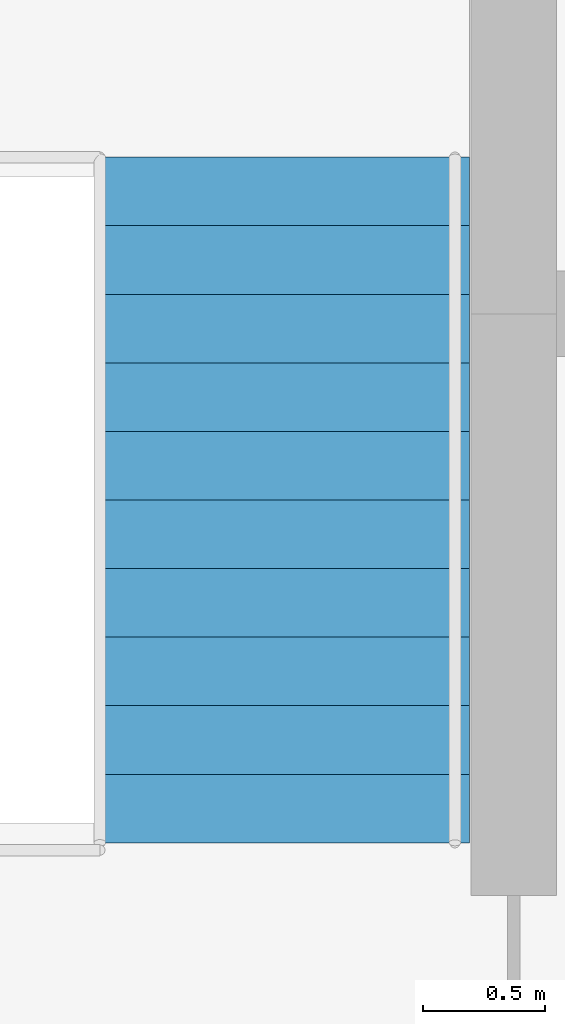
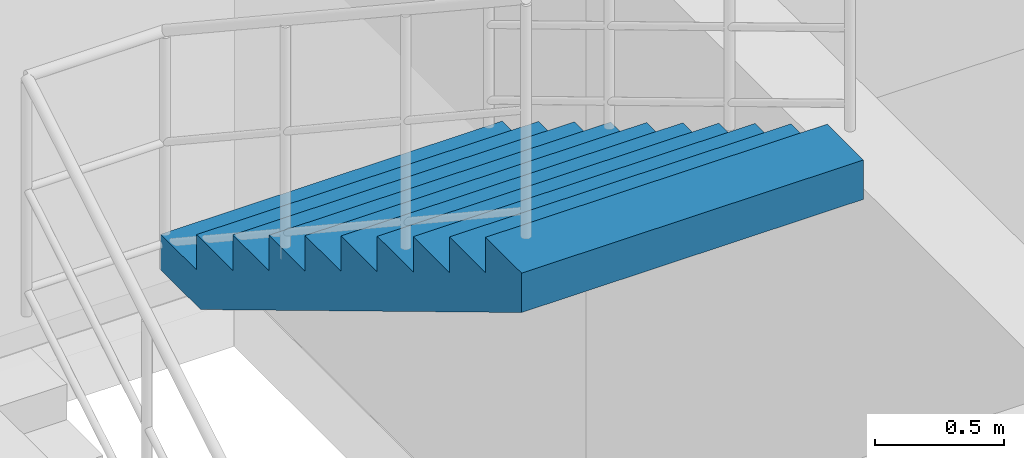
# One storey, part 30 of 31: 1 stair flight, 1 element without a shape of its own.
"""IFC4 building model written with IfcOpenShell, lengths in metres."""

from ifc_helpers import new_model, si_unit, direction, frame, origin, place, context, subcontext, project, spatial, polyline, outline, extrude, material, type_object, element, aggregate, save


model = new_model("IFC4")

# Units and contexts
model_context = context("Model", 3, precision=1e-05, world=origin(), true_north=direction((0.0, 1.0)))
body_context = subcontext(model_context, "Body", "Model", "MODEL_VIEW")
ifc_project = project(units=[si_unit("LENGTHUNIT", "METRE"), si_unit("AREAUNIT", "SQUARE_METRE"), si_unit("VOLUMEUNIT", "CUBIC_METRE"), si_unit("PLANEANGLEUNIT", "RADIAN"), si_unit("MASSUNIT", "GRAM", prefix="KILO")], contexts=[model_context])

# Site, building, storey
site_placement = place(None, origin())
site = spatial("IfcSite", under=ifc_project, at=site_placement, CompositionType="ELEMENT")
building_placement = place(site_placement, origin())
building = spatial("IfcBuilding", under=site, at=building_placement, Name="Keshet Zoharim Tower", CompositionType="ELEMENT")
storey_placement = place(building_placement, frame((0.0, 0.0, 276.89990234375)))
storey = spatial("IfcBuildingStorey", under=building, at=storey_placement, Name="L69", CompositionType="ELEMENT", Elevation=276.89990234375)

# Stair, stair flight
ifc_material = material(Name="Concrete C50/60", Category="concrete")
stair_type = type_object("IfcStairType", Name="STR-EXIT-135", PredefinedType="HALF_TURN_STAIR", material=ifc_material)
stair_placement = place(storey_placement, origin())
stair = element("IfcStair", 1, at=stair_placement, inside=storey, type_object=stair_type, Name="L69 Enclosed Exit Stair ST-02", PredefinedType="HALF_TURN_STAIR")
stair_flight_type = type_object("IfcStairFlightType", Name="FLT-PRE-135", PredefinedType="STRAIGHT", material=ifc_material)
stair_flight_placement = place(storey_placement, frame((18.054931640625, 35.639892578125, 1.85009765625), z_axis=(0.0, 0.0, 1.0), x_axis=(0.0, -1.0, 0.0)))
stair_flight = element("IfcStairFlight", 2, at=stair_flight_placement, type_object=stair_flight_type, Name="ST-02 flight 2", NumberOfRisers=11, NumberOfTreads=10, PredefinedType="STRAIGHT", RiserHeight=0.168182, TreadLength=0.28, context=body_context, shape_type="SweptSolid", body=[
    extrude(outline(polyline([(0.0, 0.0), (0.0, 0.168212890625), (0.280029296875, 0.168212890625), (0.280029296875, 0.33642578125), (0.56005859375, 0.33642578125), (0.56005859375, 0.504638671875), (0.840087890625, 0.504638671875), (0.840087890625, 0.672607421875), (1.1201171875, 0.672607421875), (1.1201171875, 0.8408203125), (1.39990234375, 0.8408203125), (1.39990234375, 1.009033203125), (1.679931640625, 1.009033203125), (1.679931640625, 1.17724609375), (1.9599609375, 1.17724609375), (1.9599609375, 1.345458984375), (2.239990234375, 1.345458984375), (2.239990234375, 1.513671875), (2.52001953125, 1.513671875), (2.52001953125, 1.681884765625), (2.800048828125, 1.681884765625), (2.800048828125, 1.85009765625), (2.800048828125, 1.495361328125), (0.310546875, 0.0), (0.0, 0.0)])), frame((0.0, 0.76513671875, 0.0), z_axis=(0.0, -1.0, 0.0), x_axis=(1.0, 0.0, 0.0)), (0.0, 0.0, 1.0), 1.530029296875),
])
aggregate(stair, [stair_flight])

save(model, "model.ifc")
